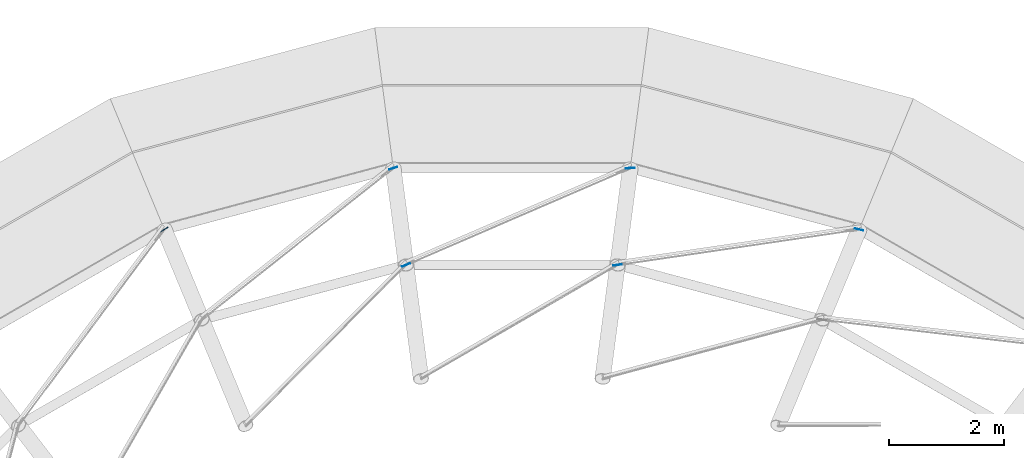
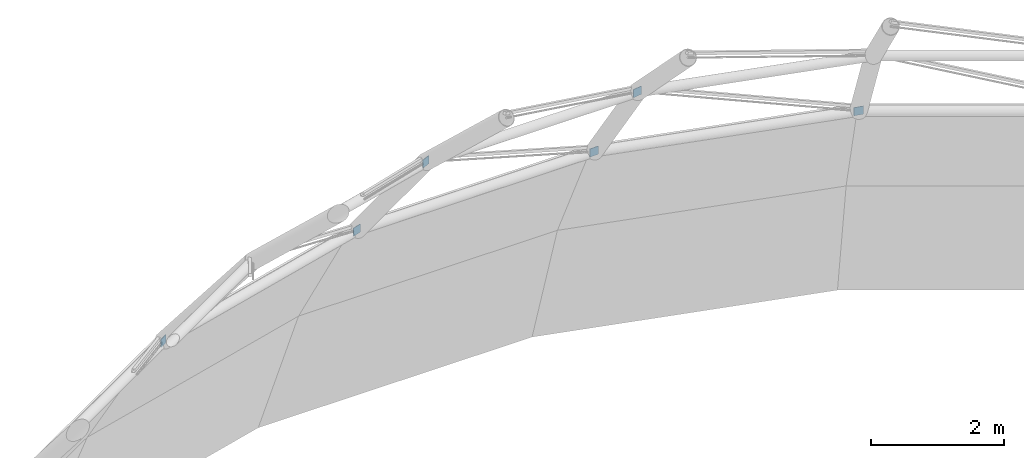
# One storey, part 48 of 62: 6 discrete accessories.
"""IFC4 building model written with IfcOpenShell, lengths in metres."""

from ifc_helpers import new_model, si_unit, direction, frame, origin, origin_2d, place, context, subcontext, project, spatial, rectangle, extrude, material, type_object, element, save


model = new_model("IFC4")

# Units and contexts
model_context = context("Model", 3, precision=1e-05, world=origin(), true_north=direction((0.0, 1.0)))
body_context = subcontext(model_context, "Body", "Model", "MODEL_VIEW")
ifc_project = project(units=[si_unit("LENGTHUNIT", "METRE"), si_unit("AREAUNIT", "SQUARE_METRE"), si_unit("VOLUMEUNIT", "CUBIC_METRE"), si_unit("PLANEANGLEUNIT", "RADIAN"), si_unit("MASSUNIT", "GRAM", prefix="KILO")], contexts=[model_context])

# Site, building, storey
site_placement = place(None, origin())
site = spatial("IfcSite", under=ifc_project, at=site_placement, CompositionType="ELEMENT")
building_placement = place(site_placement, origin())
building = spatial("IfcBuilding", under=site, at=building_placement, Name="Hortulan Conservatory and Botanical Research Centre", CompositionType="ELEMENT")
storey_placement = place(building_placement, frame((0.0, 0.0, 15.0)))
storey = spatial("IfcBuildingStorey", under=building, at=storey_placement, Name="L03", CompositionType="ELEMENT", Elevation=15.0)

# Discrete accessories
ifc_material = material(Name="Steel Grade 300 plate (AS/NZS 3678, 280 MPa minimum yield)", Category="steel")
discrete_accessory_type = type_object("IfcDiscreteAccessoryType", Name="End Plate 150x10", PredefinedType="BRACKET", material=ifc_material)
for number, where, z_axis, x_axis, name in (
    (1, (47.95263671875, 32.599609375, 0.4404296875), (0.0, 0.0, 1.0), (0.844262455608, 0.535929945096, 0.0), "Dome rod end plate"),
    (2, (51.9375, 33.667236328125, 0.4404296875), (0.0, 0.0, 1.0), (0.95420378667, 0.299157372473, 0.0), "Dome rod end plate"),
    (3, (52.1591796875, 31.98193359375, 2.636962890625), (0.0, 0.0, 1.0), (0.918080099169, 0.396394918621, 0.0), "Dome rod end plate"),
    (4, (55.8408203125, 31.98193359375, 2.636962890625), (0.0, 0.0, 1.0), (0.989394368026, 0.145254206544, 0.0), "Dome rod end plate"),
    (5, (56.0625, 33.667236328125, 0.4404296875), (0.0, 0.0, 1.0), (0.999118439412, 0.041980281398, 0.0), "Dome rod end plate"),
    (6, (60.04736328125, 32.599609375, 0.4404296875), (0.0, 0.0, 1.0), (0.975939600494, -0.218041042436, 0.0), "Dome rod end plate"),
):
    element("IfcDiscreteAccessory", number, at=place(storey_placement, frame(where, z_axis=z_axis, x_axis=x_axis)), inside=storey, type_object=discrete_accessory_type, Name=name, PredefinedType="BRACKET", context=body_context, shape_type="SweptSolid", body=[
        extrude(rectangle(XDim=0.14990234375, YDim=0.010009765625, at=origin_2d()), origin(), (0.0, 0.0, 1.0), 0.14990234375),
    ])

save(model, "model.ifc")
